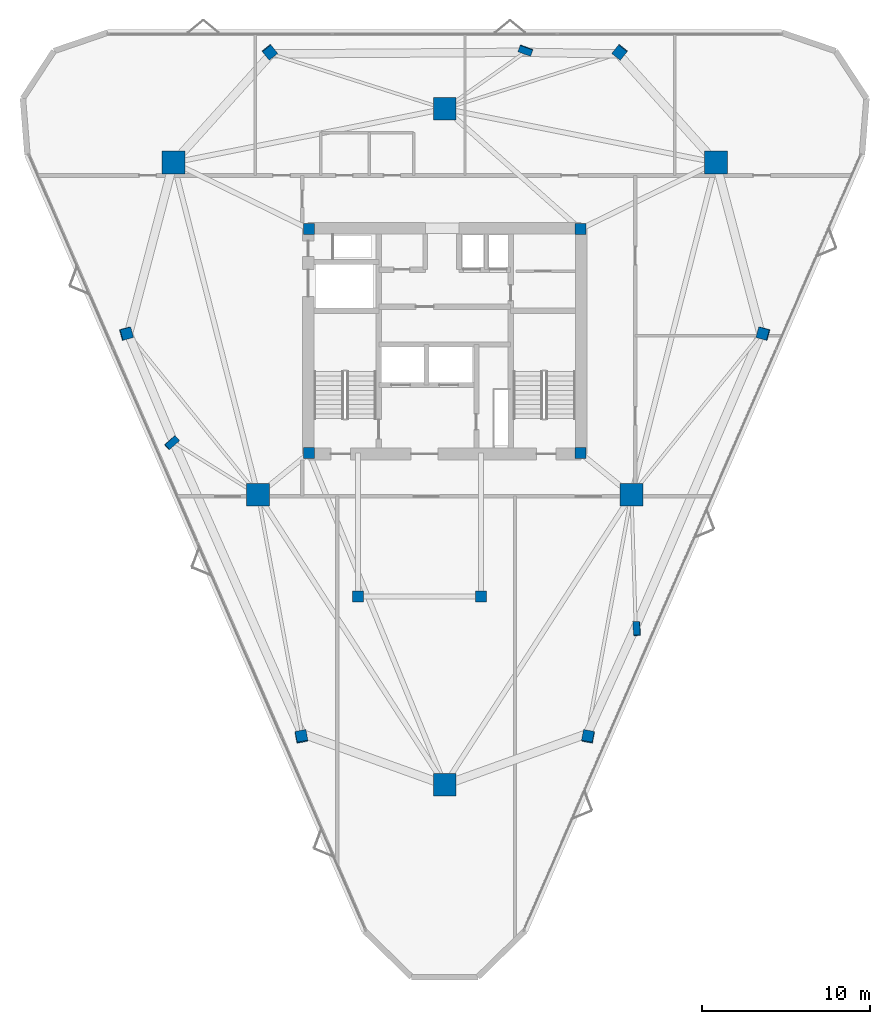
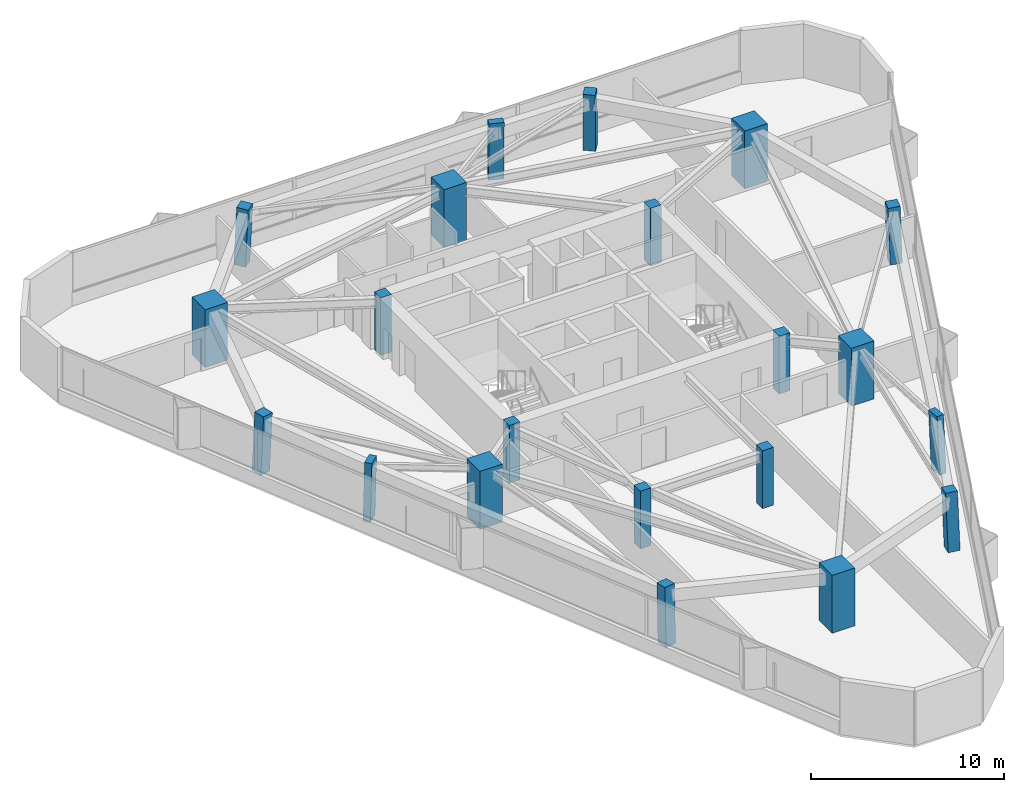
# One storey, part 1 of 12: 21 columns.
"""IFC4 building model written with IfcOpenShell, lengths in metres."""

from ifc_helpers import new_model, si_unit, direction, frame, origin, origin_2d, place, context, subcontext, project, spatial, rectangle, extrude, material, material_profile, profile_set, type_object, element, save


model = new_model("IFC4")

# Units and contexts
model_context = context("Model", 3, precision=1e-05, world=origin(), true_north=direction((0.0, 1.0)))
body_context = subcontext(model_context, "Body", "Model", "MODEL_VIEW")
ifc_project = project(units=[si_unit("LENGTHUNIT", "METRE"), si_unit("AREAUNIT", "SQUARE_METRE"), si_unit("VOLUMEUNIT", "CUBIC_METRE"), si_unit("PLANEANGLEUNIT", "RADIAN"), si_unit("MASSUNIT", "GRAM", prefix="KILO")], contexts=[model_context])

# Site, building, storey
site_placement = place(None, origin())
site = spatial("IfcSite", under=ifc_project, at=site_placement, CompositionType="ELEMENT")
building_placement = place(site_placement, origin())
building = spatial("IfcBuilding", under=site, at=building_placement, Name="Talyreon Biosciences Tower", CompositionType="ELEMENT")
storey_placement = place(building_placement, frame((0.0, 0.0, 215.89990234375)))
storey = spatial("IfcBuildingStorey", under=building, at=storey_placement, Name="L57", CompositionType="ELEMENT", Elevation=215.89990234375)

# Columns
ifc_material_1 = material(Name="Precast concrete C45/55", Category="concrete")
ifc_material_profile_1 = material_profile(ifc_material_1, rectangle(XDim=0.800048828125, YDim=0.39990234375, at=origin_2d()), Name="RC 800x400")
ifc_profile_set_1 = profile_set([ifc_material_profile_1], Name="Precast concrete C45/55")
column_type_1 = type_object("IfcColumnType", Name="FacadePilaster_800x400", PredefinedType="PILASTER", material=ifc_profile_set_1)
column_1_placement = place(storey_placement, frame((77.406494140625, 50.915283203125, 0.003173828125), z_axis=(-0.019611953815, 0.038353752683, 0.999071749637), x_axis=(0.062501311844, -0.997262478234, 0.039511207584)))
element("IfcColumn", 1, at=column_1_placement, inside=storey, type_object=column_type_1, Name="L57 Facade Pilaster PL-SE", PredefinedType="PILASTER", context=body_context, shape_type="SweptSolid", body=[
    extrude(rectangle(XDim=0.800048828125, YDim=0.39990234375, at=origin_2d()), origin(), (0.0, 0.0, 1.0), 3.6474609375),
])
column_2_placement = place(storey_placement, frame((70.800048828125, 85.268310546875, 0.003173828125), z_axis=(-0.01238655289, -0.033544124313, 0.999360478022), x_axis=(-0.9380871136, 0.346399433166, 0.0)))
element("IfcColumn", 2, at=column_2_placement, inside=storey, type_object=column_type_1, Name="L57 Facade Pilaster PL-N", PredefinedType="PILASTER", context=body_context, shape_type="SweptSolid", body=[
    extrude(rectangle(XDim=0.800048828125, YDim=0.39990234375, at=origin_2d()), origin(), (0.0, 0.0, 1.0), 3.646484375),
])
column_3_placement = place(storey_placement, frame((49.79345703125, 61.966796875, 0.003173828125), z_axis=(0.032006454348, 0.010579539303, 0.999431668614), x_axis=(0.745353316049, 0.665952280537, -0.030919157537)))
element("IfcColumn", 3, at=column_3_placement, inside=storey, type_object=column_type_1, Name="L57 Facade Pilaster PL-SW", PredefinedType="PILASTER", context=body_context, shape_type="SweptSolid", body=[
    extrude(rectangle(XDim=0.800048828125, YDim=0.39990234375, at=origin_2d()), origin(), (0.0, 0.0, 1.0), 3.64599609375),
])
ifc_material_2 = material(Name="Concrete C50/60", Category="concrete")
ifc_material_profile_2 = material_profile(ifc_material_2, rectangle(XDim=1.35009765625, YDim=1.35009765625, at=origin_2d()), Name="RC 1350x1350")
ifc_profile_set_2 = profile_set([ifc_material_profile_2], Name="Concrete C50/60")
column_type_2 = type_object("IfcColumnType", Name="MegaColumn_1350", PredefinedType="COLUMN", material=ifc_profile_set_2)
for number, where, z_axis, x_axis, name in (
    (4, (66.0, 41.6669921875, 0.0), (0.0, 0.0, 1.0), (1.0, 0.0, 0.0), "L57 Composite Mega-Column MC1"),
    (5, (82.102294921875, 78.5986328125, 0.0), (0.0, 0.0, 1.0), (1.0, 0.0, 0.0), "L57 Composite Mega-Column MC2"),
    (6, (49.897705078125, 78.5986328125, 0.0), (0.0, 0.0, 1.0), (1.0, 0.0, 0.0), "L57 Composite Mega-Column MC3"),
    (7, (77.086181640625, 58.88037109375, 0.0), (0.0, 0.0, 1.0), (1.0, 0.0, 0.0), "L57 Composite Mega-Column MC4"),
    (8, (66.0, 81.788818359375, 0.0), (0.0, 0.0, 1.0), (1.0, 0.0, 0.0), "L57 Composite Mega-Column MC5"),
    (9, (54.913818359375, 58.88037109375, 0.0), (0.0, 0.0, 1.0), (1.0, 0.0, 0.0), "L57 Composite Mega-Column MC6"),
):
    element("IfcColumn", number, at=place(storey_placement, frame(where, z_axis=z_axis, x_axis=x_axis)), inside=storey, type_object=column_type_2, Name=name, PredefinedType="COLUMN", context=body_context, shape_type="SweptSolid", body=[
        extrude(rectangle(XDim=1.35009765625, YDim=1.35009765625, at=origin_2d()), origin(), (0.0, 0.0, 1.0), 3.650146484375),
    ])
ifc_material_profile_3 = material_profile(ifc_material_2, rectangle(XDim=0.64990234375, YDim=0.64990234375, at=origin_2d()), Name="RC 650x650")
ifc_profile_set_3 = profile_set([ifc_material_profile_3], Name="Concrete C50/60")
column_type_3 = type_object("IfcColumnType", Name="PerimeterColumn_650", PredefinedType="COLUMN", material=ifc_profile_set_3)
for number, where, z_axis, x_axis, name in (
    (10, (57.949951171875, 61.35009765625, 0.0), (0.0, 0.0, 1.0), (1.0, 0.0, 0.0), "L57 Core Column CC1"),
    (11, (74.050048828125, 61.35009765625, 0.0), (0.0, 0.0, 1.0), (1.0, 0.0, 0.0), "L57 Core Column CC2"),
    (12, (74.050048828125, 74.64990234375, 0.0), (0.0, 0.0, 1.0), (1.0, 0.0, 0.0), "L57 Core Column CC3"),
    (13, (57.949951171875, 74.64990234375, 0.0), (0.0, 0.0, 1.0), (1.0, 0.0, 0.0), "L57 Core Column CC4"),
    (14, (60.85009765625, 52.840087890625, 0.0), (0.0, 0.0, 1.0), (1.0, 0.0, 0.0), "L57 Core Column CSW"),
    (15, (68.14990234375, 52.840087890625, 0.0), (0.0, 0.0, 1.0), (1.0, 0.0, 0.0), "L57 Core Column CSE"),
):
    element("IfcColumn", number, at=place(storey_placement, frame(where, z_axis=z_axis, x_axis=x_axis)), inside=storey, type_object=column_type_3, Name=name, PredefinedType="COLUMN", context=body_context, shape_type="SweptSolid", body=[
        extrude(rectangle(XDim=0.64990234375, YDim=0.64990234375, at=origin_2d()), origin(), (0.0, 0.0, 1.0), 3.650146484375),
    ])
column_4_placement = place(storey_placement, frame((74.514892578125, 44.508544921875, 0.003173828125), z_axis=(-0.012375141264, 0.054450621561, 0.998439775695), x_axis=(-0.185516141135, -0.981305558347, 0.051216818865)))
element("IfcColumn", 16, at=column_4_placement, inside=storey, type_object=column_type_3, Name="L57 Tapering Perimeter Column PC-SE1", PredefinedType="COLUMN", context=body_context, shape_type="SweptSolid", body=[
    extrude(rectangle(XDim=0.64990234375, YDim=0.64990234375, at=origin_2d()), origin(), (0.0, 0.0, 1.0), 3.649658203125),
])
column_5_placement = place(storey_placement, frame((84.914794921875, 68.453369140625, 0.003173828125), z_axis=(-0.039229508262, -0.005623342481, 0.999214403269), x_axis=(0.963754177335, -0.264303937478, 0.036349887255)))
element("IfcColumn", 17, at=column_5_placement, inside=storey, type_object=column_type_3, Name="L57 Tapering Perimeter Column PC-SE2", PredefinedType="COLUMN", context=body_context, shape_type="SweptSolid", body=[
    extrude(rectangle(XDim=0.64990234375, YDim=0.64990234375, at=origin_2d()), origin(), (0.0, 0.0, 1.0), 3.64697265625),
])
for number, where, z_axis, x_axis, name in (
    (18, (76.39990234375, 85.16845703125, 0.003173828125), (-0.026841076243, -0.033534611465, 0.999077067328), (-0.780716755404, 0.624885067698, 0.0), "L57 Tapering Perimeter Column PC-N1"),
    (19, (55.60009765625, 85.16845703125, 0.003173828125), (0.026841076243, -0.033534611465, 0.999077067328), (-0.780716755404, -0.624885067698, 0.0), "L57 Tapering Perimeter Column PC-N2"),
):
    element("IfcColumn", number, at=place(storey_placement, frame(where, z_axis=z_axis, x_axis=x_axis)), inside=storey, type_object=column_type_3, Name=name, PredefinedType="COLUMN", context=body_context, shape_type="SweptSolid", body=[
        extrude(rectangle(XDim=0.64990234375, YDim=0.64990234375, at=origin_2d()), origin(), (0.0, 0.0, 1.0), 3.6474609375),
    ])
column_6_placement = place(storey_placement, frame((47.085205078125, 68.453369140625, 0.003173828125), z_axis=(0.039229508262, -0.005623342481, 0.999214403269), x_axis=(0.963754177335, 0.264303937478, -0.036349887255)))
element("IfcColumn", 20, at=column_6_placement, inside=storey, type_object=column_type_3, Name="L57 Tapering Perimeter Column PC-SW1", PredefinedType="COLUMN", context=body_context, shape_type="SweptSolid", body=[
    extrude(rectangle(XDim=0.64990234375, YDim=0.64990234375, at=origin_2d()), origin(), (0.0, 0.0, 1.0), 3.64697265625),
])
column_7_placement = place(storey_placement, frame((57.485107421875, 44.508544921875, 0.003173828125), z_axis=(0.012375141264, 0.054450621561, 0.998439775695), x_axis=(-0.185516141135, 0.981305558347, -0.051216818865)))
element("IfcColumn", 21, at=column_7_placement, inside=storey, type_object=column_type_3, Name="L57 Tapering Perimeter Column PC-SW2", PredefinedType="COLUMN", context=body_context, shape_type="SweptSolid", body=[
    extrude(rectangle(XDim=0.64990234375, YDim=0.64990234375, at=origin_2d()), origin(), (0.0, 0.0, 1.0), 3.649658203125),
])

save(model, "model.ifc")
